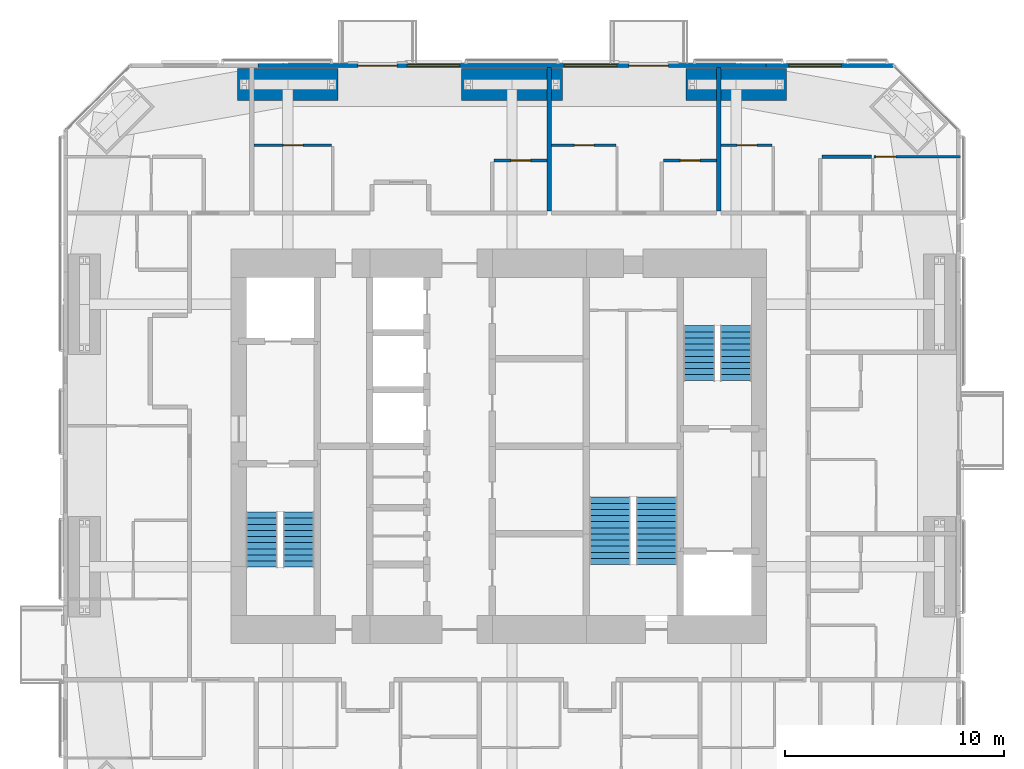
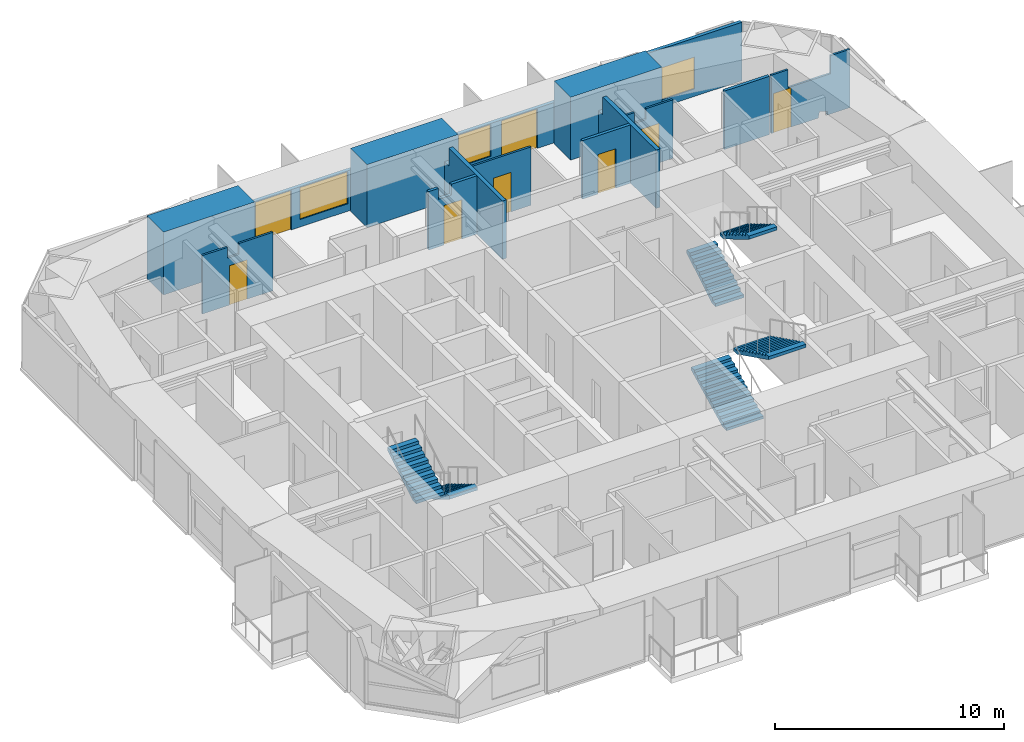
# One storey, part 21 of 22: 14 walls, 8 doors, 6 stair flights, 3 windows, 11 openings, 3 elements without a shape of their own.
"""IFC4 building model written with IfcOpenShell, lengths in metres."""

from ifc_helpers import new_model, si_unit, direction, frame, frame_2d, origin, place, context, subcontext, project, spatial, polyline, rectangle, outline, extrude, material, layer, layer_set, constituent, constituent_set, type_object, element, fill, aggregate, save


model = new_model("IFC4")

# Units and contexts
model_context = context("Model", 3, precision=1e-05, world=origin(), true_north=direction((0.0, 1.0)))
body_context = subcontext(model_context, "Body", "Model", "MODEL_VIEW")
ifc_project = project(units=[si_unit("LENGTHUNIT", "METRE"), si_unit("AREAUNIT", "SQUARE_METRE"), si_unit("VOLUMEUNIT", "CUBIC_METRE"), si_unit("PLANEANGLEUNIT", "RADIAN"), si_unit("MASSUNIT", "GRAM", prefix="KILO")], contexts=[model_context])

# Site, building, storey
site_placement = place(None, origin())
site = spatial("IfcSite", under=ifc_project, at=site_placement, CompositionType="ELEMENT")
building_placement = place(site_placement, origin())
building = spatial("IfcBuilding", under=site, at=building_placement, Name="Jalousie Tower", CompositionType="ELEMENT")
storey_placement = place(building_placement, frame((0.0, 0.0, 154.35009765625)))
storey = spatial("IfcBuildingStorey", under=building, at=storey_placement, Name="L41", CompositionType="ELEMENT", Elevation=154.35009765625)

# Wall, opening, door
ifc_material_1 = material(Name="Concrete block ASTM C90", Category="concrete")
ifc_constituent_1 = constituent(ifc_material_1, Name="Body")
ifc_material_2 = material(Name="Render")
ifc_constituent_2 = constituent(ifc_material_2, Name="Finish")
ifc_constituent_set_1 = constituent_set(constituents=[ifc_constituent_1, ifc_constituent_2])
wall_type_1 = type_object("IfcWallType", Name="BATHROOM WALL 150", PredefinedType="PLUMBINGWALL", material=ifc_constituent_set_1)
wall_1_placement = place(storey_placement, frame((31.675048828125, 31.574951171875, 0.0), z_axis=(0.0, 0.0, 1.0), x_axis=(1.0, 0.0, 0.0)))
wall_1 = element("IfcWall", 1, at=wall_1_placement, inside=storey, type_object=wall_type_1, Name="Bathroom Wall 150 L41", PredefinedType="PLUMBINGWALL", context=body_context, shape_type="SweptSolid", body=[
    extrude(outline(polyline([(0.0, 0.0), (2.425048828125, 0.0), (2.425048828125, 3.10986328125), (1.146240234375, 3.10986328125), (1.146240234375, 2.531005859375), (0.50390625, 2.531005859375), (0.50390625, 3.10986328125), (0.0, 3.10986328125), (0.0, 0.0)])), frame((0.0, 0.074951171875, 0.0), z_axis=(0.0, -1.0, 0.0), x_axis=(1.0, 0.0, 0.0)), (0.0, 0.0, 1.0), 0.14990234375),
])
opening_1_placement = place(wall_1_placement, frame((0.77490234375, 0.0, 0.0)))
opening_1 = element("IfcOpeningElement", 2, at=opening_1_placement, cuts=wall_1, Name="Opening D3", PredefinedType="OPENING", context=body_context, shape_type="SweptSolid", body=[
    extrude(rectangle(XDim=0.89990234375, YDim=2.10009765625, at=frame_2d((0.449951171875, 1.050048828125))), frame((0.0, 0.0849609375, 0.0), z_axis=(0.0, -1.0, 0.0), x_axis=(1.0, 0.0, 0.0)), (0.0, 0.0, 1.0), 0.169921875),
])
ifc_material_3 = material(Name="Timber door", Category="wood")
door_type_1 = type_object("IfcDoorType", Name="BATHROOM DOOR 900", OperationType="SINGLE_SWING_LEFT", PredefinedType="DOOR", material=ifc_material_3)
door_1_placement = place(opening_1_placement, frame((0.89990234375, 0.0, 0.0), z_axis=(0.0, 0.0, 1.0), x_axis=(-1.0, 0.0, 0.0)))
door_1 = element("IfcDoor", 3, at=door_1_placement, inside=storey, type_object=door_type_1, Name="Apartment 4106 bathroom door", OperationType="SINGLE_SWING_LEFT", OverallHeight=2.10009765625, OverallWidth=0.89990234375, PredefinedType="DOOR", context=body_context, shape_type="SweptSolid", body=[
    extrude(rectangle(XDim=0.89990234375, YDim=2.10009765625, at=frame_2d((0.449951171875, 1.050048828125))), frame((0.0, 0.02490234375, 0.0), z_axis=(0.0, -1.0, 0.0), x_axis=(1.0, 0.0, 0.0)), (0.0, 0.0, 1.0), 0.050048828125),
])
fill(opening_1, door_1)

wall_2_placement = place(storey_placement, frame((39.425048828125, 31.574951171875, 0.0), z_axis=(0.0, 0.0, 1.0), x_axis=(1.0, 0.0, 0.0)))
wall_2 = element("IfcWall", 4, at=wall_2_placement, inside=storey, type_object=wall_type_1, Name="Bathroom Wall 150 L41", PredefinedType="PLUMBINGWALL", context=body_context, shape_type="SweptSolid", body=[
    extrude(rectangle(XDim=2.425048828125, YDim=0.14990234375, at=frame_2d((1.21240234375, 0.0))), origin(), (0.0, 0.0, 1.0), 3.10986328125),
])
opening_2_placement = place(wall_2_placement, frame((0.77490234375, 0.0, 0.0)))
opening_2 = element("IfcOpeningElement", 5, at=opening_2_placement, cuts=wall_2, Name="Opening D3", PredefinedType="OPENING", context=body_context, shape_type="SweptSolid", body=[
    extrude(rectangle(XDim=0.89990234375, YDim=2.10009765625, at=frame_2d((0.449951171875, 1.050048828125))), frame((0.0, 0.0849609375, 0.0), z_axis=(0.0, -1.0, 0.0), x_axis=(1.0, 0.0, 0.0)), (0.0, 0.0, 1.0), 0.169921875),
])
door_2_placement = place(opening_2_placement, frame((0.89990234375, 0.0, 0.0), z_axis=(0.0, 0.0, 1.0), x_axis=(-1.0, 0.0, 0.0)))
door_2 = element("IfcDoor", 6, at=door_2_placement, inside=storey, type_object=door_type_1, Name="Apartment 4107 bathroom door", OperationType="SINGLE_SWING_LEFT", OverallHeight=2.10009765625, OverallWidth=0.89990234375, PredefinedType="DOOR", context=body_context, shape_type="SweptSolid", body=[
    extrude(rectangle(XDim=0.89990234375, YDim=2.10009765625, at=frame_2d((0.449951171875, 1.050048828125))), frame((0.0, 0.02490234375, 0.0), z_axis=(0.0, -1.0, 0.0), x_axis=(1.0, 0.0, 0.0)), (0.0, 0.0, 1.0), 0.050048828125),
])
fill(opening_2, door_2)

# Wall
wall_3_placement = place(storey_placement, frame((46.675048828125, 31.748291015625, 0.0), z_axis=(0.0, 0.0, 1.0), x_axis=(1.0, 0.0, 0.0)))
element("IfcWall", 7, at=wall_3_placement, inside=storey, type_object=wall_type_1, Name="Bathroom Wall 150 L41", PredefinedType="PLUMBINGWALL", context=body_context, shape_type="SweptSolid", body=[
    extrude(rectangle(XDim=2.27490234375, YDim=0.14990234375, at=frame_2d((1.137451171875, 0.0))), origin(), (0.0, 0.0, 1.0), 3.10986328125),
])

# Wall, opening, window
ifc_material_4 = material(Name="Concrete f'c 40 MPa", Category="concrete")
ifc_constituent_3 = constituent(ifc_material_4, Name="Body")
ifc_material_5 = material(Name="Render, pastel lemon")
ifc_constituent_4 = constituent(ifc_material_5, Name="Finish")
ifc_constituent_set_2 = constituent_set(constituents=[ifc_constituent_3, ifc_constituent_4])
wall_type_2 = type_object("IfcWallType", Name="EXTERNAL WALL 175 LEMON RENDER", PredefinedType="SOLIDWALL", material=ifc_constituent_set_2)
wall_4_placement = place(storey_placement, frame((49.94873046875, 35.91259765625, 0.0), z_axis=(0.0, 0.0, 1.0), x_axis=(-1.0, 0.0, 0.0)))
wall_4 = element("IfcWall", 8, at=wall_4_placement, inside=storey, type_object=wall_type_2, Name="External Wall 175 Lemon Render L41-A", PredefinedType="SOLIDWALL", context=body_context, shape_type="SweptSolid", body=[
    extrude(rectangle(XDim=5.839599609375, YDim=0.175048828125, at=frame_2d((2.919921875, 0.0))), origin(), (0.0, 0.0, 1.0), 3.10986328125),
])
opening_3_placement = place(wall_4_placement, frame((2.389404296875, 0.0, 0.39990234375)))
opening_3 = element("IfcOpeningElement", 9, at=opening_3_placement, cuts=wall_4, Name="Opening W-LIV170", PredefinedType="OPENING", context=body_context, shape_type="SweptSolid", body=[
    extrude(rectangle(XDim=2.39990234375, YDim=1.699951171875, at=frame_2d((1.199951171875, 0.85009765625))), frame((0.0, 0.097412109375, 0.0), z_axis=(0.0, -1.0, 0.0), x_axis=(1.0, 0.0, 0.0)), (0.0, 0.0, 1.0), 0.195068359375),
])
ifc_material_6 = material(Name="Aluminium frame, impact-rated glazing", Category="aluminium")
window_type = type_object("IfcWindowType", Name="WINDOW LIV 2400x1700", PartitioningType="DOUBLE_PANEL_VERTICAL", PredefinedType="WINDOW", material=ifc_material_6)
window_1_placement = place(opening_3_placement, origin())
window_1 = element("IfcWindow", 10, at=window_1_placement, inside=storey, type_object=window_type, Name="Apartment 4108 living and dining room window", OverallHeight=1.699951171875, OverallWidth=2.39990234375, PartitioningType="SINGLE_PANEL", PredefinedType="WINDOW", context=body_context, shape_type="SweptSolid", body=[
    extrude(rectangle(XDim=2.39990234375, YDim=1.699951171875, at=frame_2d((1.199951171875, 0.85009765625))), frame((0.0, 0.030029296875, 0.0), z_axis=(0.0, -1.0, 0.0), x_axis=(1.0, 0.0, 0.0)), (0.0, 0.0, 1.0), 0.06005859375),
])
fill(opening_3, window_1)

# Wall, openings, doors, windows
wall_5_placement = place(storey_placement, frame((44.109130859375, 35.91259765625, 0.0), z_axis=(0.0, 0.0, 1.0), x_axis=(-1.0, 0.0, 0.0)))
wall_5 = element("IfcWall", 11, at=wall_5_placement, inside=storey, type_object=wall_type_2, Name="External Wall 175 Lemon Render L41-B", PredefinedType="SOLIDWALL", context=body_context, shape_type="SweptSolid", body=[
    extrude(outline(polyline([(23.21826171875, 2.14990234375), (0.0, 2.14990234375), (0.0, 0.0), (1.343017578125, 0.0), (1.343017578125, 0.158447265625), (1.623779296875, 0.301513671875), (1.696533203125, 0.301513671875), (1.850341796875, 0.0), (11.635986328125, 0.0), (11.635986328125, 0.17822265625), (11.908203125, 0.33056640625), (11.9638671875, 0.33056640625), (12.148681640625, 0.0), (21.9248046875, 0.0), (21.9248046875, 0.201171875), (22.181396484375, 0.358154296875), (22.22412109375, 0.358154296875), (22.443603515625, 0.0), (23.21826171875, 0.0), (23.21826171875, 2.14990234375)])), frame((0.0, 0.08740234375, 0.0), z_axis=(0.0, -1.0, 0.0), x_axis=(1.0, 0.0, 0.0)), (0.0, 0.0, 1.0), 0.175048828125),
])
opening_4_placement = place(wall_5_placement, frame((4.458984375, 0.0, 0.0)))
opening_4 = element("IfcOpeningElement", 12, at=opening_4_placement, cuts=wall_5, Name="Opening D-BAL21", PredefinedType="OPENING", context=body_context, shape_type="SweptSolid", body=[
    extrude(rectangle(XDim=1.800048828125, YDim=2.10009765625, at=frame_2d((0.89990234375, 1.050048828125))), frame((0.0, 0.097412109375, 0.0), z_axis=(0.0, -1.0, 0.0), x_axis=(1.0, 0.0, 0.0)), (0.0, 0.0, 1.0), 0.195068359375),
])
opening_5_placement = place(wall_5_placement, frame((6.80908203125, 0.0, 0.39990234375)))
opening_5 = element("IfcOpeningElement", 13, at=opening_5_placement, cuts=wall_5, Name="Opening W-LIV170", PredefinedType="OPENING", context=body_context, shape_type="SweptSolid", body=[
    extrude(rectangle(XDim=2.39990234375, YDim=1.699951171875, at=frame_2d((1.199951171875, 0.85009765625))), frame((0.0, 0.097412109375, 0.0), z_axis=(0.0, -1.0, 0.0), x_axis=(1.0, 0.0, 0.0)), (0.0, 0.0, 1.0), 0.195068359375),
])
opening_6_placement = place(wall_5_placement, frame((16.859130859375, 0.0, 0.0)))
opening_6 = element("IfcOpeningElement", 14, at=opening_6_placement, cuts=wall_5, Name="Opening D-BAL21", PredefinedType="OPENING", context=body_context, shape_type="SweptSolid", body=[
    extrude(rectangle(XDim=1.800048828125, YDim=2.10009765625, at=frame_2d((0.89990234375, 1.050048828125))), frame((0.0, 0.097412109375, 0.0), z_axis=(0.0, -1.0, 0.0), x_axis=(1.0, 0.0, 0.0)), (0.0, 0.0, 1.0), 0.195068359375),
])
opening_7_placement = place(wall_5_placement, frame((14.009033203125, 0.0, 0.39990234375)))
opening_7 = element("IfcOpeningElement", 15, at=opening_7_placement, cuts=wall_5, Name="Opening W-LIV170", PredefinedType="OPENING", context=body_context, shape_type="SweptSolid", body=[
    extrude(rectangle(XDim=2.39990234375, YDim=1.699951171875, at=frame_2d((1.199951171875, 0.85009765625))), frame((0.0, 0.097412109375, 0.0), z_axis=(0.0, -1.0, 0.0), x_axis=(1.0, 0.0, 0.0)), (0.0, 0.0, 1.0), 0.195068359375),
])
ifc_material_7 = material(Name="Aluminium frame, impact-rated glazing", Category="aluminium")
door_type_2 = type_object("IfcDoorType", Name="BALCONY DOOR 1800x2100", OperationType="SLIDING_TO_LEFT", PredefinedType="DOOR", material=ifc_material_7)
door_3_placement = place(opening_4_placement, origin())
door_3 = element("IfcDoor", 16, at=door_3_placement, inside=storey, type_object=door_type_2, Name="Apartment 4107 studio living and sleeping room balcony door", OperationType="SLIDING_TO_LEFT", OverallHeight=2.10009765625, OverallWidth=1.800048828125, PredefinedType="DOOR", context=body_context, shape_type="SweptSolid", body=[
    extrude(rectangle(XDim=1.800048828125, YDim=2.10009765625, at=frame_2d((0.89990234375, 1.050048828125))), frame((0.0, 0.02490234375, 0.0), z_axis=(0.0, -1.0, 0.0), x_axis=(1.0, 0.0, 0.0)), (0.0, 0.0, 1.0), 0.050048828125),
])
fill(opening_4, door_3)
door_4_placement = place(opening_6_placement, origin())
door_4 = element("IfcDoor", 17, at=door_4_placement, inside=storey, type_object=door_type_2, Name="Apartment 4106 studio living and sleeping room balcony door", OperationType="SLIDING_TO_LEFT", OverallHeight=2.10009765625, OverallWidth=1.800048828125, PredefinedType="DOOR", context=body_context, shape_type="SweptSolid", body=[
    extrude(rectangle(XDim=1.800048828125, YDim=2.10009765625, at=frame_2d((0.89990234375, 1.050048828125))), frame((0.0, 0.02490234375, 0.0), z_axis=(0.0, -1.0, 0.0), x_axis=(1.0, 0.0, 0.0)), (0.0, 0.0, 1.0), 0.050048828125),
])
fill(opening_6, door_4)
window_2_placement = place(opening_5_placement, origin())
window_2 = element("IfcWindow", 18, at=window_2_placement, inside=storey, type_object=window_type, Name="Apartment 4107 studio living and sleeping room window", OverallHeight=1.699951171875, OverallWidth=2.39990234375, PartitioningType="SINGLE_PANEL", PredefinedType="WINDOW", context=body_context, shape_type="SweptSolid", body=[
    extrude(rectangle(XDim=2.39990234375, YDim=1.699951171875, at=frame_2d((1.199951171875, 0.85009765625))), frame((0.0, 0.030029296875, 0.0), z_axis=(0.0, -1.0, 0.0), x_axis=(1.0, 0.0, 0.0)), (0.0, 0.0, 1.0), 0.06005859375),
])
fill(opening_5, window_2)
window_3_placement = place(opening_7_placement, origin())
window_3 = element("IfcWindow", 19, at=window_3_placement, inside=storey, type_object=window_type, Name="Apartment 4106 studio living and sleeping room window", OverallHeight=1.699951171875, OverallWidth=2.39990234375, PartitioningType="SINGLE_PANEL", PredefinedType="WINDOW", context=body_context, shape_type="SweptSolid", body=[
    extrude(rectangle(XDim=2.39990234375, YDim=1.699951171875, at=frame_2d((1.199951171875, 0.85009765625))), frame((0.0, 0.030029296875, 0.0), z_axis=(0.0, -1.0, 0.0), x_axis=(1.0, 0.0, 0.0)), (0.0, 0.0, 1.0), 0.06005859375),
])
fill(opening_7, window_3)

# Wall, opening, door
ifc_material_8 = material(Name="Gypsum board", Category="gypsum")
ifc_constituent_5 = constituent(ifc_material_8, Name="Body")
ifc_material_9 = material(Name="Light-gauge steel studs ASTM A653 SS Grade 33", Category="steel")
ifc_constituent_6 = constituent(ifc_material_9, Name="Framing")
ifc_constituent_set_3 = constituent_set(constituents=[ifc_constituent_5, ifc_constituent_6])
wall_type_3 = type_object("IfcWallType", Name="PARTITION 100", PredefinedType="PARTITIONING", material=ifc_constituent_set_3)
wall_6_placement = place(storey_placement, frame((20.699951171875, 32.27490234375, 0.0), z_axis=(0.0, 0.0, 1.0), x_axis=(1.0, 0.0, 0.0)))
wall_6 = element("IfcWall", 20, at=wall_6_placement, inside=storey, type_object=wall_type_3, Name="Partition 100 L41", PredefinedType="PARTITIONING", context=body_context, shape_type="SweptSolid", body=[
    extrude(outline(polyline([(0.0, 0.0), (3.550048828125, 0.0), (3.550048828125, 3.10986328125), (1.84619140625, 3.10986328125), (1.84619140625, 2.531005859375), (1.25390625, 2.531005859375), (1.25390625, 3.10986328125), (0.0, 3.10986328125), (0.0, 0.0)])), frame((0.0, 0.050048828125, 0.0), z_axis=(0.0, -1.0, 0.0), x_axis=(1.0, 0.0, 0.0)), (0.0, 0.0, 1.0), 0.10009765625),
])
opening_8_placement = place(wall_6_placement, frame((1.35009765625, 0.0, 0.0)))
opening_8 = element("IfcOpeningElement", 21, at=opening_8_placement, cuts=wall_6, Name="Opening D7", PredefinedType="OPENING", context=body_context, shape_type="SweptSolid", body=[
    extrude(rectangle(XDim=0.89990234375, YDim=2.10009765625, at=frame_2d((0.449951171875, 1.050048828125))), frame((0.0, 0.06005859375, 0.0), z_axis=(0.0, -1.0, 0.0), x_axis=(1.0, 0.0, 0.0)), (0.0, 0.0, 1.0), 0.1201171875),
])
ifc_material_10 = material(Name="Timber door", Category="wood")
door_type_3 = type_object("IfcDoorType", Name="INTERNAL DOOR 900", OperationType="SINGLE_SWING_LEFT", PredefinedType="DOOR", material=ifc_material_10)
door_5_placement = place(opening_8_placement, frame((0.89990234375, 0.0, 0.0), z_axis=(0.0, 0.0, 1.0), x_axis=(-1.0, 0.0, 0.0)))
door_5 = element("IfcDoor", 22, at=door_5_placement, inside=storey, type_object=door_type_3, Name="Apartment 4106 kitchen door", OperationType="SINGLE_SWING_LEFT", OverallHeight=2.10009765625, OverallWidth=0.89990234375, PredefinedType="DOOR", context=body_context, shape_type="SweptSolid", body=[
    extrude(rectangle(XDim=0.89990234375, YDim=2.10009765625, at=frame_2d((0.449951171875, 1.050048828125))), frame((0.0, 0.02490234375, 0.0), z_axis=(0.0, -1.0, 0.0), x_axis=(1.0, 0.0, 0.0)), (0.0, 0.0, 1.0), 0.050048828125),
])
fill(opening_8, door_5)

wall_7_placement = place(storey_placement, frame((34.300048828125, 32.27490234375, 0.0), z_axis=(0.0, 0.0, 1.0), x_axis=(1.0, 0.0, 0.0)))
wall_7 = element("IfcWall", 23, at=wall_7_placement, inside=storey, type_object=wall_type_3, Name="Partition 100 L41", PredefinedType="PARTITIONING", context=body_context, shape_type="SweptSolid", body=[
    extrude(rectangle(XDim=2.949951171875, YDim=0.10009765625, at=frame_2d((1.47509765625, 0.0))), origin(), (0.0, 0.0, 1.0), 3.10986328125),
])
opening_9_placement = place(wall_7_placement, frame((1.050048828125, 0.0, 0.0)))
opening_9 = element("IfcOpeningElement", 24, at=opening_9_placement, cuts=wall_7, Name="Opening D7", PredefinedType="OPENING", context=body_context, shape_type="SweptSolid", body=[
    extrude(rectangle(XDim=0.89990234375, YDim=2.10009765625, at=frame_2d((0.449951171875, 1.050048828125))), frame((0.0, 0.06005859375, 0.0), z_axis=(0.0, -1.0, 0.0), x_axis=(1.0, 0.0, 0.0)), (0.0, 0.0, 1.0), 0.1201171875),
])
door_6_placement = place(opening_9_placement, frame((0.89990234375, 0.0, 0.0), z_axis=(0.0, 0.0, 1.0), x_axis=(-1.0, 0.0, 0.0)))
door_6 = element("IfcDoor", 25, at=door_6_placement, inside=storey, type_object=door_type_3, Name="Apartment 4107 kitchen door", OperationType="SINGLE_SWING_LEFT", OverallHeight=2.10009765625, OverallWidth=0.89990234375, PredefinedType="DOOR", context=body_context, shape_type="SweptSolid", body=[
    extrude(rectangle(XDim=0.89990234375, YDim=2.10009765625, at=frame_2d((0.449951171875, 1.050048828125))), frame((0.0, 0.02490234375, 0.0), z_axis=(0.0, -1.0, 0.0), x_axis=(1.0, 0.0, 0.0)), (0.0, 0.0, 1.0), 0.050048828125),
])
fill(opening_9, door_6)

wall_8_placement = place(storey_placement, frame((49.050048828125, 31.748291015625, 0.0), z_axis=(0.0, 0.0, 1.0), x_axis=(1.0, 0.0, 0.0)))
wall_8 = element("IfcWall", 26, at=wall_8_placement, inside=storey, type_object=wall_type_3, Name="Partition 100 L41", PredefinedType="PARTITIONING", context=body_context, shape_type="SweptSolid", body=[
    extrude(outline(polyline([(0.83544921875, 3.10986328125), (0.0, 3.10986328125), (0.0, 0.0), (2.36083984375, 0.0), (2.424072265625, 0.33544921875), (2.82080078125, 0.185302734375), (2.82080078125, 0.0), (3.949951171875, 0.0), (3.949951171875, 3.10986328125), (2.98291015625, 3.10986328125), (2.98291015625, 2.14990234375), (0.83544921875, 2.14990234375), (0.83544921875, 3.10986328125)])), frame((0.0, 0.050048828125, 0.0), z_axis=(0.0, -1.0, 0.0), x_axis=(1.0, 0.0, 0.0)), (0.0, 0.0, 1.0), 0.10009765625),
])
opening_10_placement = place(wall_8_placement, frame((0.10009765625, 0.0, 0.0)))
opening_10 = element("IfcOpeningElement", 27, at=opening_10_placement, cuts=wall_8, Name="Opening D2", PredefinedType="OPENING", context=body_context, shape_type="SweptSolid", body=[
    extrude(rectangle(XDim=0.89990234375, YDim=2.10009765625, at=frame_2d((0.449951171875, 1.050048828125))), frame((0.0, 0.06005859375, 0.0), z_axis=(0.0, -1.0, 0.0), x_axis=(1.0, 0.0, 0.0)), (0.0, 0.0, 1.0), 0.1201171875),
])
ifc_material_11 = material(Name="Timber door", Category="wood")
door_type_4 = type_object("IfcDoorType", Name="BEDROOM DOOR 900", OperationType="SINGLE_SWING_LEFT", PredefinedType="DOOR", material=ifc_material_11)
door_7_placement = place(opening_10_placement, frame((0.89990234375, 0.0, 0.0), z_axis=(0.0, 0.0, 1.0), x_axis=(-1.0, 0.0, 0.0)))
door_7 = element("IfcDoor", 28, at=door_7_placement, inside=storey, type_object=door_type_4, Name="Apartment 4108 bedroom 1 door", OperationType="SINGLE_SWING_RIGHT", OverallHeight=2.10009765625, OverallWidth=0.89990234375, PredefinedType="DOOR", context=body_context, shape_type="SweptSolid", body=[
    extrude(rectangle(XDim=0.89990234375, YDim=2.10009765625, at=frame_2d((0.449951171875, 1.050048828125))), frame((0.0, 0.02490234375, 0.0), z_axis=(0.0, -1.0, 0.0), x_axis=(1.0, 0.0, 0.0)), (0.0, 0.0, 1.0), 0.050048828125),
])
fill(opening_10, door_7)

wall_9_placement = place(storey_placement, frame((42.050048828125, 32.27490234375, 0.0), z_axis=(0.0, 0.0, 1.0), x_axis=(1.0, 0.0, 0.0)))
wall_9 = element("IfcWall", 29, at=wall_9_placement, inside=storey, type_object=wall_type_3, Name="Partition 100 L41", PredefinedType="PARTITIONING", context=body_context, shape_type="SweptSolid", body=[
    extrude(outline(polyline([(0.0, 0.0), (2.349853515625, 0.0), (2.35009765625, 3.10986328125), (0.99609375, 3.10986328125), (0.99609375, 2.531005859375), (0.40380859375, 2.531005859375), (0.40380859375, 3.10986328125), (0.0, 3.10986328125), (0.0, 0.0)])), frame((0.0, 0.050048828125, 0.0), z_axis=(0.0, -1.0, 0.0), x_axis=(1.0, 0.0, 0.0)), (0.0, 0.0, 1.0), 0.10009765625),
])
opening_11_placement = place(wall_9_placement, frame((0.75, 0.0, 0.0)))
opening_11 = element("IfcOpeningElement", 30, at=opening_11_placement, cuts=wall_9, Name="Opening D7", PredefinedType="OPENING", context=body_context, shape_type="SweptSolid", body=[
    extrude(rectangle(XDim=0.89990234375, YDim=2.10009765625, at=frame_2d((0.449951171875, 1.050048828125))), frame((0.0, 0.06005859375, 0.0), z_axis=(0.0, -1.0, 0.0), x_axis=(1.0, 0.0, 0.0)), (0.0, 0.0, 1.0), 0.1201171875),
])
door_8_placement = place(opening_11_placement, origin())
door_8 = element("IfcDoor", 31, at=door_8_placement, inside=storey, type_object=door_type_3, Name="Apartment 4108 kitchen door", OperationType="SINGLE_SWING_LEFT", OverallHeight=2.10009765625, OverallWidth=0.89990234375, PredefinedType="DOOR", context=body_context, shape_type="SweptSolid", body=[
    extrude(rectangle(XDim=0.89990234375, YDim=2.10009765625, at=frame_2d((0.449951171875, 1.050048828125))), frame((0.0, 0.02490234375, 0.0), z_axis=(0.0, -1.0, 0.0), x_axis=(1.0, 0.0, 0.0)), (0.0, 0.0, 1.0), 0.050048828125),
])
fill(opening_11, door_8)

# Walls
ifc_material_12 = material(Name="Concrete block ASTM C90", Category="concrete")
ifc_constituent_7 = constituent(ifc_material_12, Name="Body")
ifc_material_13 = material(Name="Render")
ifc_constituent_8 = constituent(ifc_material_13, Name="Finish")
ifc_constituent_set_4 = constituent_set(constituents=[ifc_constituent_7, ifc_constituent_8])
wall_type_4 = type_object("IfcWallType", Name="PARTY WALL 200", PredefinedType="PARTITIONING", material=ifc_constituent_set_4)
wall_10_placement = place(storey_placement, frame((34.199951171875, 35.824951171875, 0.0), z_axis=(0.0, 0.0, 1.0), x_axis=(0.0, -1.0, 0.0)))
element("IfcWall", 32, at=wall_10_placement, inside=storey, type_object=wall_type_4, Name="Party Wall 200 L41", PredefinedType="PARTITIONING", context=body_context, shape_type="SweptSolid", body=[
    extrude(outline(polyline([(0.0, 0.0), (6.550048828125, 0.0), (6.550048828125, 3.10986328125), (1.885009765625, 3.10986328125), (1.885009765625, 2.14990234375), (1.021240234375, 2.14990234375), (1.021240234375, 2.005126953125), (0.52880859375, 2.005126953125), (0.52880859375, 2.14990234375), (0.0, 2.14990234375), (0.0, 0.0)])), frame((0.0, 0.10009765625, 0.0), z_axis=(0.0, -1.0, 0.0), x_axis=(1.0, 0.0, 0.0)), (0.0, 0.0, 1.0), 0.199951171875),
])
wall_11_placement = place(storey_placement, frame((41.949951171875, 35.824951171875, 0.0), z_axis=(0.0, 0.0, 1.0), x_axis=(0.0, -1.0, 0.0)))
element("IfcWall", 33, at=wall_11_placement, inside=storey, type_object=wall_type_4, Name="Party Wall 200 L41", PredefinedType="PARTITIONING", context=body_context, shape_type="SweptSolid", body=[
    extrude(outline(polyline([(0.52880859375, 2.14990234375), (0.0, 2.14990234375), (0.0, 0.301513671875), (0.52880859375, 0.301513671875), (0.52880859375, 0.781982421875), (1.021240234375, 0.781982421875), (1.021240234375, 0.301513671875), (1.131591796875, 0.301513671875), (1.223388671875, 0.204833984375), (1.223388671875, 0.0), (6.550048828125, 0.0), (6.550048828125, 3.10986328125), (1.885009765625, 3.10986328125), (1.885009765625, 2.14990234375), (1.021240234375, 2.14990234375), (1.021240234375, 1.2177734375), (0.52880859375, 1.2177734375), (0.52880859375, 2.14990234375)])), frame((0.0, 0.10009765625, 0.0), z_axis=(0.0, -1.0, 0.0), x_axis=(1.0, 0.0, 0.0)), (0.0, 0.0, 1.0), 0.199951171875),
])
ifc_material_14 = material(Name="Concrete f'c 120 MPa", Category="concrete")
ifc_layer = layer(ifc_material_14, 1.449951171875)
ifc_layer_set = layer_set([ifc_layer], Name="Concrete f'c 120 MPa")
wall_type_5 = type_object("IfcWallType", Name="RC WALL PIER 1450", PredefinedType="SHEAR", material=ifc_layer_set)
for number, where, z_axis, x_axis, name in (
    (34, (40.449951171875, 35.050048828125, 0.0), (0.0, 0.0, 1.0), (1.0, 0.0, 0.0), "Wall pier 09 L41"),
    (35, (30.199951171875, 35.050048828125, 0.0), (0.0, 0.0, 1.0), (1.0, 0.0, 0.0), "Wall pier 10 L41"),
    (36, (19.949951171875, 35.050048828125, 0.0), (0.0, 0.0, 1.0), (1.0, 0.0, 0.0), "Wall pier 11 L41"),
):
    element("IfcWall", number, at=place(storey_placement, frame(where, z_axis=z_axis, x_axis=x_axis)), inside=storey, type_object=wall_type_5, Name=name, PredefinedType="SHEAR", context=body_context, shape_type="SweptSolid", body=[
        extrude(rectangle(XDim=4.60009765625, YDim=1.449951171875, at=frame_2d((2.300048828125, 0.0))), origin(), (0.0, 0.0, 1.0), 3.349853515625),
    ])

# Stair, stair flights
ifc_material_15 = material(Name="Concrete f'c 40 MPa", Category="concrete")
stair_type = type_object("IfcStairType", Name="EXIT STAIR", PredefinedType="HALF_TURN_STAIR", material=ifc_material_15)
stair_1_placement = place(storey_placement, origin())
stair_1 = element("IfcStair", 37, at=stair_1_placement, inside=storey, type_object=stair_type, Name="Exit stair A L41", PredefinedType="HALF_TURN_STAIR")
ifc_material_16 = material(Name="Concrete f'c 40 MPa", Category="concrete")
stair_flight_type = type_object("IfcStairFlightType", Name="STAIR FLIGHT", PredefinedType="STRAIGHT", material=ifc_material_16)
stair_flight_1_placement = place(storey_placement, frame((22.737548828125, 15.49755859375, 0.0), z_axis=(0.0, 0.0, 1.0), x_axis=(0.0, -1.0, 0.0)))
stair_flight_1 = element("IfcStairFlight", 38, at=stair_flight_1_placement, type_object=stair_flight_type, Name="ST-A flight 1", NumberOfRisers=10, NumberOfTreads=9, PredefinedType="STRAIGHT", RiserHeight=0.1675, TreadLength=0.28, context=body_context, shape_type="SweptSolid", body=[
    extrude(outline(polyline([(0.0, 0.0), (0.0, 0.16748046875), (0.280029296875, 0.16748046875), (0.280029296875, 0.3349609375), (0.56005859375, 0.3349609375), (0.56005859375, 0.50244140625), (0.840087890625, 0.50244140625), (0.840087890625, 0.669921875), (1.1201171875, 0.669921875), (1.1201171875, 0.83740234375), (1.39990234375, 0.83740234375), (1.39990234375, 1.0048828125), (1.679931640625, 1.0048828125), (1.679931640625, 1.172607421875), (1.9599609375, 1.172607421875), (1.9599609375, 1.340087890625), (2.239990234375, 1.340087890625), (2.239990234375, 1.507568359375), (2.52001953125, 1.507568359375), (2.52001953125, 1.675048828125), (2.52001953125, 1.332763671875), (0.2919921875, 0.0), (0.0, 0.0)])), frame((0.0, 0.71240234375, 0.0), z_axis=(0.0, -1.0, 0.0), x_axis=(1.0, 0.0, 0.0)), (0.0, 0.0, 1.0), 1.425048828125),
])
stair_flight_2_placement = place(storey_placement, frame((21.0625, 12.9775390625, 1.6748046875), z_axis=(0.0, 0.0, 1.0), x_axis=(0.0, 1.0, 0.0)))
stair_flight_2 = element("IfcStairFlight", 39, at=stair_flight_2_placement, type_object=stair_flight_type, Name="ST-A flight 2", NumberOfRisers=10, NumberOfTreads=9, PredefinedType="STRAIGHT", RiserHeight=0.1675, TreadLength=0.28, context=body_context, shape_type="SweptSolid", body=[
    extrude(outline(polyline([(0.0, 0.0), (0.0, 0.16748046875), (0.280029296875, 0.16748046875), (0.280029296875, 0.3349609375), (0.56005859375, 0.3349609375), (0.56005859375, 0.50244140625), (0.840087890625, 0.50244140625), (0.840087890625, 0.669921875), (1.1201171875, 0.669921875), (1.1201171875, 0.83740234375), (1.39990234375, 0.83740234375), (1.39990234375, 1.0048828125), (1.679931640625, 1.0048828125), (1.679931640625, 1.172607421875), (1.9599609375, 1.172607421875), (1.9599609375, 1.340087890625), (2.239990234375, 1.340087890625), (2.239990234375, 1.507568359375), (2.52001953125, 1.507568359375), (2.52001953125, 1.675048828125), (2.52001953125, 1.332763671875), (0.2919921875, 0.0), (0.0, 0.0)])), frame((0.0, 0.71240234375, 0.0), z_axis=(0.0, -1.0, 0.0), x_axis=(1.0, 0.0, 0.0)), (0.0, 0.0, 1.0), 1.425048828125),
])
aggregate(stair_1, [stair_flight_1, stair_flight_2])

stair_2_placement = place(storey_placement, origin())
stair_2 = element("IfcStair", 40, at=stair_2_placement, inside=storey, type_object=stair_type, Name="Exit stair B L41", PredefinedType="HALF_TURN_STAIR")
stair_flight_3_placement = place(storey_placement, frame((41.0625, 21.50244140625, 0.0), z_axis=(0.0, 0.0, 1.0), x_axis=(0.0, 1.0, 0.0)))
stair_flight_3 = element("IfcStairFlight", 41, at=stair_flight_3_placement, type_object=stair_flight_type, Name="ST-B flight 1", NumberOfRisers=10, NumberOfTreads=9, PredefinedType="STRAIGHT", RiserHeight=0.1675, TreadLength=0.28, context=body_context, shape_type="SweptSolid", body=[
    extrude(outline(polyline([(0.0, 0.0), (0.0, 0.16748046875), (0.280029296875, 0.16748046875), (0.280029296875, 0.3349609375), (0.56005859375, 0.3349609375), (0.56005859375, 0.50244140625), (0.840087890625, 0.50244140625), (0.840087890625, 0.669921875), (1.1201171875, 0.669921875), (1.1201171875, 0.83740234375), (1.39990234375, 0.83740234375), (1.39990234375, 1.0048828125), (1.679931640625, 1.0048828125), (1.679931640625, 1.172607421875), (1.9599609375, 1.172607421875), (1.9599609375, 1.340087890625), (2.239990234375, 1.340087890625), (2.239990234375, 1.507568359375), (2.52001953125, 1.507568359375), (2.52001953125, 1.675048828125), (2.52001953125, 1.332763671875), (0.2919921875, 0.0), (0.0, 0.0)])), frame((0.0, 0.71240234375, 0.0), z_axis=(0.0, -1.0, 0.0), x_axis=(1.0, 0.0, 0.0)), (0.0, 0.0, 1.0), 1.425048828125),
])
stair_flight_4_placement = place(storey_placement, frame((42.737548828125, 24.0224609375, 1.6748046875), z_axis=(0.0, 0.0, 1.0), x_axis=(0.0, -1.0, 0.0)))
stair_flight_4 = element("IfcStairFlight", 42, at=stair_flight_4_placement, type_object=stair_flight_type, Name="ST-B flight 2", NumberOfRisers=10, NumberOfTreads=9, PredefinedType="STRAIGHT", RiserHeight=0.1675, TreadLength=0.28, context=body_context, shape_type="SweptSolid", body=[
    extrude(outline(polyline([(0.0, 0.0), (0.0, 0.16748046875), (0.280029296875, 0.16748046875), (0.280029296875, 0.3349609375), (0.56005859375, 0.3349609375), (0.56005859375, 0.50244140625), (0.840087890625, 0.50244140625), (0.840087890625, 0.669921875), (1.1201171875, 0.669921875), (1.1201171875, 0.83740234375), (1.39990234375, 0.83740234375), (1.39990234375, 1.0048828125), (1.679931640625, 1.0048828125), (1.679931640625, 1.172607421875), (1.9599609375, 1.172607421875), (1.9599609375, 1.340087890625), (2.239990234375, 1.340087890625), (2.239990234375, 1.507568359375), (2.52001953125, 1.507568359375), (2.52001953125, 1.675048828125), (2.52001953125, 1.332763671875), (0.2919921875, 0.0), (0.0, 0.0)])), frame((0.0, 0.71240234375, 0.0), z_axis=(0.0, -1.0, 0.0), x_axis=(1.0, 0.0, 0.0)), (0.0, 0.0, 1.0), 1.425048828125),
])
aggregate(stair_2, [stair_flight_3, stair_flight_4])

stair_3_placement = place(storey_placement, origin())
stair_3 = element("IfcStair", 43, at=stair_3_placement, inside=storey, type_object=stair_type, Name="Exit stair C L41", PredefinedType="HALF_TURN_STAIR")
stair_flight_5_placement = place(storey_placement, frame((36.987548828125, 13.097412109375, 0.0), z_axis=(0.0, 0.0, 1.0), x_axis=(0.0, 1.0, 0.0)))
stair_flight_5 = element("IfcStairFlight", 44, at=stair_flight_5_placement, type_object=stair_flight_type, Name="ST-C flight 1", NumberOfRisers=12, NumberOfTreads=11, PredefinedType="STRAIGHT", RiserHeight=0.139583333, TreadLength=0.28, context=body_context, shape_type="SweptSolid", body=[
    extrude(outline(polyline([(0.0, 0.0), (0.0, 0.1396484375), (0.280029296875, 0.1396484375), (0.280029296875, 0.279052734375), (0.56005859375, 0.279052734375), (0.56005859375, 0.418701171875), (0.840087890625, 0.418701171875), (0.840087890625, 0.558349609375), (1.1201171875, 0.558349609375), (1.1201171875, 0.697998046875), (1.39990234375, 0.697998046875), (1.39990234375, 0.83740234375), (1.679931640625, 0.83740234375), (1.679931640625, 0.97705078125), (1.9599609375, 0.97705078125), (1.9599609375, 1.11669921875), (2.239990234375, 1.11669921875), (2.239990234375, 1.25634765625), (2.52001953125, 1.25634765625), (2.52001953125, 1.395751953125), (2.800048828125, 1.395751953125), (2.800048828125, 1.535400390625), (3.080078125, 1.535400390625), (3.080078125, 1.675048828125), (3.080078125, 1.367919921875), (0.3359375, 0.0), (0.0, 0.0)])), frame((0.0, 0.9375, 0.0), z_axis=(0.0, -1.0, 0.0), x_axis=(1.0, 0.0, 0.0)), (0.0, 0.0, 1.0), 1.875),
])
stair_flight_6_placement = place(storey_placement, frame((39.112548828125, 16.177490234375, 1.6748046875), z_axis=(0.0, 0.0, 1.0), x_axis=(0.0, -1.0, 0.0)))
stair_flight_6 = element("IfcStairFlight", 45, at=stair_flight_6_placement, type_object=stair_flight_type, Name="ST-C flight 2", NumberOfRisers=12, NumberOfTreads=11, PredefinedType="STRAIGHT", RiserHeight=0.139583333, TreadLength=0.28, context=body_context, shape_type="SweptSolid", body=[
    extrude(outline(polyline([(0.0, 0.0), (0.0, 0.1396484375), (0.280029296875, 0.1396484375), (0.280029296875, 0.279052734375), (0.56005859375, 0.279052734375), (0.56005859375, 0.418701171875), (0.840087890625, 0.418701171875), (0.840087890625, 0.558349609375), (1.1201171875, 0.558349609375), (1.1201171875, 0.697998046875), (1.39990234375, 0.697998046875), (1.39990234375, 0.83740234375), (1.679931640625, 0.83740234375), (1.679931640625, 0.97705078125), (1.9599609375, 0.97705078125), (1.9599609375, 1.11669921875), (2.239990234375, 1.11669921875), (2.239990234375, 1.25634765625), (2.52001953125, 1.25634765625), (2.52001953125, 1.395751953125), (2.800048828125, 1.395751953125), (2.800048828125, 1.535400390625), (3.080078125, 1.535400390625), (3.080078125, 1.675048828125), (3.080078125, 1.367919921875), (0.3359375, 0.0), (0.0, 0.0)])), frame((0.0, 0.9375, 0.0), z_axis=(0.0, -1.0, 0.0), x_axis=(1.0, 0.0, 0.0)), (0.0, 0.0, 1.0), 1.875),
])
aggregate(stair_3, [stair_flight_5, stair_flight_6])

save(model, "model.ifc")
